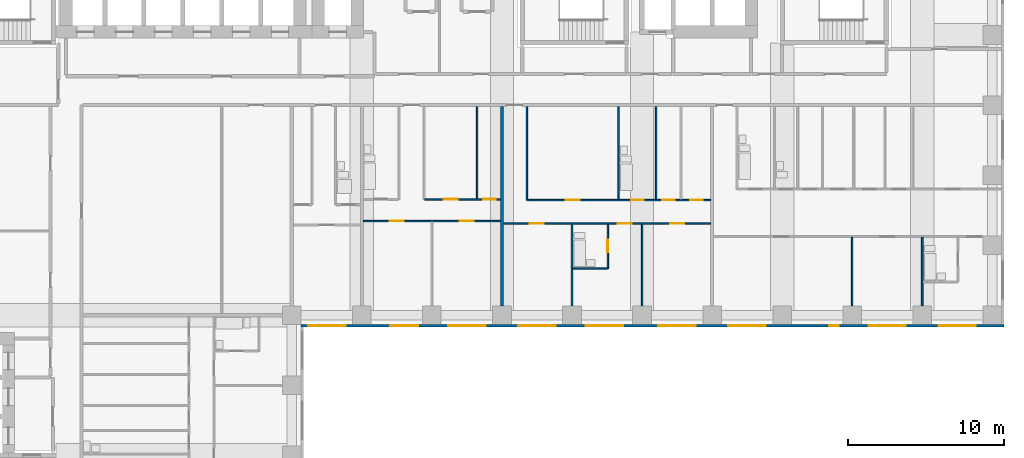
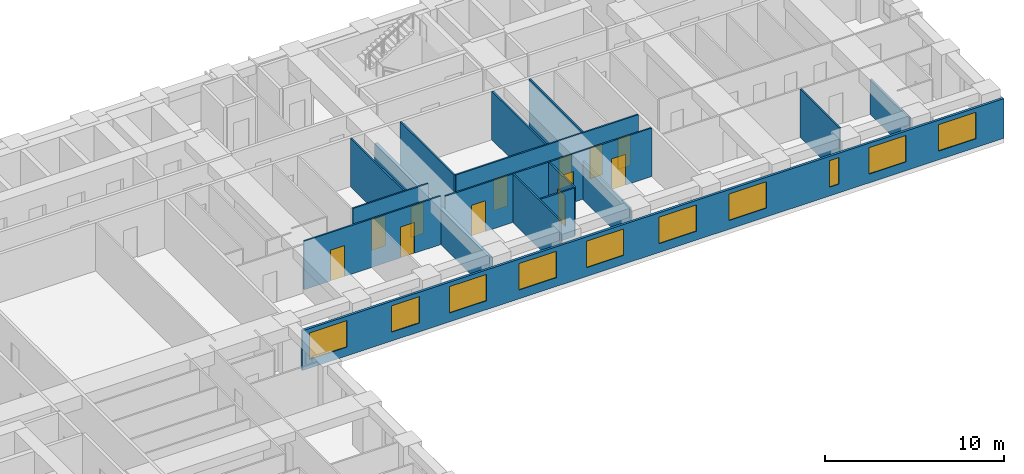
# One storey, part 6 of 12: 16 walls, 12 doors, 10 windows, 22 openings.
"""IFC4 building model written with IfcOpenShell, lengths in metres."""

from ifc_helpers import new_model, si_unit, direction, frame, frame_2d, origin, place, context, subcontext, project, spatial, rectangle, extrude, material, layer, layer_set, type_object, element, fill, save


model = new_model("IFC4")

# Units and contexts
model_context = context("Model", 3, precision=1e-05, world=origin(), true_north=direction((0.0, 1.0)))
body_context = subcontext(model_context, "Body", "Model", "MODEL_VIEW")
ifc_project = project(units=[si_unit("LENGTHUNIT", "METRE"), si_unit("AREAUNIT", "SQUARE_METRE"), si_unit("VOLUMEUNIT", "CUBIC_METRE"), si_unit("PLANEANGLEUNIT", "RADIAN"), si_unit("MASSUNIT", "GRAM", prefix="KILO")], contexts=[model_context])

# Site, building, storey
site_placement = place(None, origin())
site = spatial("IfcSite", under=ifc_project, at=site_placement, CompositionType="ELEMENT")
building_placement = place(site_placement, origin())
building = spatial("IfcBuilding", under=site, at=building_placement, Name="Firuza Court", CompositionType="ELEMENT")
storey_placement = place(building_placement, frame((0.0, 0.0, 101.0)))
storey = spatial("IfcBuildingStorey", under=building, at=storey_placement, Name="L25", CompositionType="ELEMENT", Elevation=101.0)

# Wall
ifc_material_1 = material(Name="Moisture-resistant gypsum board partition")
ifc_layer_1 = layer(ifc_material_1, 0.10009765625)
ifc_layer_set_1 = layer_set([ifc_layer_1], Name="Moisture-resistant gypsum board partition")
wall_type_1 = type_object("IfcWallType", Name="Bathroom partition 100", PredefinedType="PLUMBINGWALL", material=ifc_layer_set_1)
wall_1_placement = place(storey_placement, frame((40.550048828125, 39.0, 0.0), z_axis=(0.0, 0.0, 1.0), x_axis=(1.0, 0.0, 0.0)))
element("IfcWall", 1, at=wall_1_placement, inside=storey, type_object=wall_type_1, Name="Bathroom partition 100 L25", PredefinedType="PLUMBINGWALL", context=body_context, shape_type="SweptSolid", body=[
    extrude(rectangle(XDim=2.199951171875, YDim=0.10009765625, at=frame_2d((1.10009765625, 0.0))), origin(), (0.0, 0.0, 1.0), 3.300048828125),
])

# Wall, opening, door
wall_2_placement = place(storey_placement, frame((42.800048828125, 39.0, 0.0), z_axis=(0.0, 0.0, 1.0), x_axis=(0.0, 1.0, 0.0)))
wall_2 = element("IfcWall", 2, at=wall_2_placement, inside=storey, type_object=wall_type_1, Name="Bathroom partition 100 L25", PredefinedType="PLUMBINGWALL", context=body_context, shape_type="SweptSolid", body=[
    extrude(rectangle(XDim=2.85009765625, YDim=0.10009765625, at=frame_2d((1.425048828125, 0.0))), origin(), (0.0, 0.0, 1.0), 3.300048828125),
])
opening_1_placement = place(wall_2_placement, frame((1.050048828125, 0.0, 0.0)))
opening_1 = element("IfcOpeningElement", 3, at=opening_1_placement, cuts=wall_2, Name="Opening D25043", PredefinedType="OPENING", context=body_context, shape_type="SweptSolid", body=[
    extrude(rectangle(XDim=0.800048828125, YDim=2.10009765625, at=frame_2d((0.39990234375, 1.050048828125))), frame((0.0, 0.06201171875, 0.0), z_axis=(0.0, -1.0, 0.0), x_axis=(1.0, 0.0, 0.0)), (0.0, 0.0, 1.0), 0.1240234375),
])
ifc_material_2 = material(Name="Timber door leaf in hardwood frame", Category="wood")
door_type_1 = type_object("IfcDoorType", Name="Bathroom door 800", OperationType="SINGLE_SWING_LEFT", PredefinedType="DOOR", material=ifc_material_2)
door_1_placement = place(opening_1_placement, origin())
door_1 = element("IfcDoor", 4, at=door_1_placement, inside=storey, type_object=door_type_1, Name="En-suite door", OperationType="SINGLE_SWING_LEFT", OverallHeight=2.10009765625, OverallWidth=0.800048828125, PredefinedType="DOOR", context=body_context, shape_type="SweptSolid", body=[
    extrude(rectangle(XDim=0.800048828125, YDim=2.10009765625, at=frame_2d((0.39990234375, 1.050048828125))), frame((0.0, 0.02490234375, 0.0), z_axis=(0.0, -1.0, 0.0), x_axis=(1.0, 0.0, 0.0)), (0.0, 0.0, 1.0), 0.050048828125),
])
fill(opening_1, door_1)

# Walls
for number, where, z_axis, x_axis, name in (
    (5, (43.5, 43.449951171875, 0.0), (0.0, 0.0, 1.0), (0.0, 1.0, 0.0), "Bathroom partition 100 L25"),
    (6, (45.89990234375, 43.449951171875, 0.0), (0.0, 0.0, 1.0), (0.0, 1.0, 0.0), "Bathroom partition 100 L25"),
):
    element("IfcWall", number, at=place(storey_placement, frame(where, z_axis=z_axis, x_axis=x_axis)), inside=storey, type_object=wall_type_1, Name=name, PredefinedType="PLUMBINGWALL", context=body_context, shape_type="SweptSolid", body=[
        extrude(rectangle(XDim=5.949951171875, YDim=0.10009765625, at=frame_2d((2.97509765625, 0.0))), origin(), (0.0, 0.0, 1.0), 3.300048828125),
    ])
ifc_material_3 = material(Name="Timber stud partition, plasterboard both sides", Category="wood")
ifc_layer_2 = layer(ifc_material_3, 0.10009765625)
ifc_layer_set_2 = layer_set([ifc_layer_2], Name="Timber stud partition, plasterboard both sides")
wall_type_2 = type_object("IfcWallType", Name="Partition wall 100", PredefinedType="PARTITIONING", material=ifc_layer_set_2)
wall_3_placement = place(storey_placement, frame((40.5, 36.60009765625, 0.0), z_axis=(0.0, 0.0, 1.0), x_axis=(0.0, 1.0, 0.0)))
element("IfcWall", 7, at=wall_3_placement, inside=storey, type_object=wall_type_2, Name="Partition wall 100 L25", PredefinedType="PARTITIONING", context=body_context, shape_type="SweptSolid", body=[
    extrude(rectangle(XDim=5.25, YDim=0.10009765625, at=frame_2d((2.625, 0.0))), origin(), (0.0, 0.0, 1.0), 3.300048828125),
])
wall_4_placement = place(storey_placement, frame((45.0, 36.60009765625, 0.0), z_axis=(0.0, 0.0, 1.0), x_axis=(0.0, 1.0, 0.0)))
element("IfcWall", 8, at=wall_4_placement, inside=storey, type_object=wall_type_2, Name="Partition wall 100 L25", PredefinedType="PARTITIONING", context=body_context, shape_type="SweptSolid", body=[
    extrude(rectangle(XDim=5.25, YDim=0.10009765625, at=frame_2d((2.625, 0.0))), origin(), (0.0, 0.0, 1.0), 2.60009765625),
])
wall_5_placement = place(storey_placement, frame((58.5, 36.60009765625, 0.0), z_axis=(0.0, 0.0, 1.0), x_axis=(0.0, 1.0, 0.0)))
element("IfcWall", 9, at=wall_5_placement, inside=storey, type_object=wall_type_2, Name="Partition wall 100 L25", PredefinedType="PARTITIONING", context=body_context, shape_type="SweptSolid", body=[
    extrude(rectangle(XDim=4.39990234375, YDim=0.10009765625, at=frame_2d((2.199951171875, 0.0))), origin(), (0.0, 0.0, 1.0), 3.300048828125),
])
wall_6_placement = place(storey_placement, frame((63.0, 36.60009765625, 0.0), z_axis=(0.0, 0.0, 1.0), x_axis=(0.0, 1.0, 0.0)))
element("IfcWall", 10, at=wall_6_placement, inside=storey, type_object=wall_type_2, Name="Partition wall 100 L25", PredefinedType="PARTITIONING", context=body_context, shape_type="SweptSolid", body=[
    extrude(rectangle(XDim=4.39990234375, YDim=0.10009765625, at=frame_2d((2.199951171875, 0.0))), origin(), (0.0, 0.0, 1.0), 2.39990234375),
])

# Wall, openings, doors
wall_7_placement = place(storey_placement, frame((36.10009765625, 41.89990234375, 0.0), z_axis=(0.0, 0.0, 1.0), x_axis=(1.0, 0.0, 0.0)))
wall_7 = element("IfcWall", 11, at=wall_7_placement, inside=storey, type_object=wall_type_2, Name="Partition wall 100 L25", PredefinedType="PARTITIONING", context=body_context, shape_type="SweptSolid", body=[
    extrude(rectangle(XDim=13.2998046875, YDim=0.10009765625, at=frame_2d((6.64990234375, 0.0))), origin(), (0.0, 0.0, 1.0), 3.300048828125),
])
opening_2_placement = place(wall_7_placement, frame((1.699951171875, 0.0, 0.0)))
opening_2 = element("IfcOpeningElement", 12, at=opening_2_placement, cuts=wall_7, Name="Opening D25048", PredefinedType="OPENING", context=body_context, shape_type="SweptSolid", body=[
    extrude(rectangle(XDim=0.89990234375, YDim=2.10009765625, at=frame_2d((0.449951171875, 1.050048828125))), frame((0.0, 0.06201171875, 0.0), z_axis=(0.0, -1.0, 0.0), x_axis=(1.0, 0.0, 0.0)), (0.0, 0.0, 1.0), 0.1240234375),
])
opening_3_placement = place(wall_7_placement, frame((7.35009765625, 0.0, 0.0)))
opening_3 = element("IfcOpeningElement", 13, at=opening_3_placement, cuts=wall_7, Name="Opening D25049", PredefinedType="OPENING", context=body_context, shape_type="SweptSolid", body=[
    extrude(rectangle(XDim=0.89990234375, YDim=2.10009765625, at=frame_2d((0.449951171875, 1.050048828125))), frame((0.0, 0.06201171875, 0.0), z_axis=(0.0, -1.0, 0.0), x_axis=(1.0, 0.0, 0.0)), (0.0, 0.0, 1.0), 0.1240234375),
])
opening_4_placement = place(wall_7_placement, frame((10.699951171875, 0.0, 0.0)))
opening_4 = element("IfcOpeningElement", 14, at=opening_4_placement, cuts=wall_7, Name="Opening D25050", PredefinedType="OPENING", context=body_context, shape_type="SweptSolid", body=[
    extrude(rectangle(XDim=0.89990234375, YDim=2.10009765625, at=frame_2d((0.449951171875, 1.050048828125))), frame((0.0, 0.06201171875, 0.0), z_axis=(0.0, -1.0, 0.0), x_axis=(1.0, 0.0, 0.0)), (0.0, 0.0, 1.0), 0.1240234375),
])
ifc_material_4 = material(Name="Timber door leaf in hardwood frame", Category="wood")
door_type_2 = type_object("IfcDoorType", Name="Room door 900", OperationType="SINGLE_SWING_LEFT", PredefinedType="DOOR", material=ifc_material_4)
door_2_placement = place(opening_2_placement, frame((0.89990234375, 0.0, 0.0), z_axis=(0.0, 0.0, 1.0), x_axis=(-1.0, 0.0, 0.0)))
door_2 = element("IfcDoor", 15, at=door_2_placement, inside=storey, type_object=door_type_2, Name="Living room door", OperationType="SINGLE_SWING_RIGHT", OverallHeight=2.10009765625, OverallWidth=0.89990234375, PredefinedType="DOOR", context=body_context, shape_type="SweptSolid", body=[
    extrude(rectangle(XDim=0.89990234375, YDim=2.10009765625, at=frame_2d((0.449951171875, 1.050048828125))), frame((0.0, 0.02490234375, 0.0), z_axis=(0.0, -1.0, 0.0), x_axis=(1.0, 0.0, 0.0)), (0.0, 0.0, 1.0), 0.050048828125),
])
fill(opening_2, door_2)
door_3_placement = place(opening_3_placement, frame((0.89990234375, 0.0, 0.0), z_axis=(0.0, 0.0, 1.0), x_axis=(-1.0, 0.0, 0.0)))
door_3 = element("IfcDoor", 16, at=door_3_placement, inside=storey, type_object=door_type_2, Name="Bedroom door", OperationType="SINGLE_SWING_LEFT", OverallHeight=2.10009765625, OverallWidth=0.89990234375, PredefinedType="DOOR", context=body_context, shape_type="SweptSolid", body=[
    extrude(rectangle(XDim=0.89990234375, YDim=2.10009765625, at=frame_2d((0.449951171875, 1.050048828125))), frame((0.0, 0.02490234375, 0.0), z_axis=(0.0, -1.0, 0.0), x_axis=(1.0, 0.0, 0.0)), (0.0, 0.0, 1.0), 0.050048828125),
])
fill(opening_3, door_3)
door_4_placement = place(opening_4_placement, frame((0.89990234375, 0.0, 0.0), z_axis=(0.0, 0.0, 1.0), x_axis=(-1.0, 0.0, 0.0)))
door_4 = element("IfcDoor", 17, at=door_4_placement, inside=storey, type_object=door_type_2, Name="Bedroom door", OperationType="SINGLE_SWING_RIGHT", OverallHeight=2.10009765625, OverallWidth=0.89990234375, PredefinedType="DOOR", context=body_context, shape_type="SweptSolid", body=[
    extrude(rectangle(XDim=0.89990234375, YDim=2.10009765625, at=frame_2d((0.449951171875, 1.050048828125))), frame((0.0, 0.02490234375, 0.0), z_axis=(0.0, -1.0, 0.0), x_axis=(1.0, 0.0, 0.0)), (0.0, 0.0, 1.0), 0.050048828125),
])
fill(opening_4, door_4)

wall_8_placement = place(storey_placement, frame((27.10009765625, 42.050048828125, 0.0), z_axis=(0.0, 0.0, 1.0), x_axis=(1.0, 0.0, 0.0)))
wall_8 = element("IfcWall", 18, at=wall_8_placement, inside=storey, type_object=wall_type_2, Name="Partition wall 100 L25", PredefinedType="PARTITIONING", context=body_context, shape_type="SweptSolid", body=[
    extrude(rectangle(XDim=8.7998046875, YDim=0.10009765625, at=frame_2d((4.39990234375, 0.0))), origin(), (0.0, 0.0, 1.0), 3.300048828125),
])
opening_5_placement = place(wall_8_placement, frame((1.699951171875, 0.0, 0.0)))
opening_5 = element("IfcOpeningElement", 19, at=opening_5_placement, cuts=wall_8, Name="Opening D25051", PredefinedType="OPENING", context=body_context, shape_type="SweptSolid", body=[
    extrude(rectangle(XDim=0.89990234375, YDim=2.10009765625, at=frame_2d((0.449951171875, 1.050048828125))), frame((0.0, 0.06201171875, 0.0), z_axis=(0.0, -1.0, 0.0), x_axis=(1.0, 0.0, 0.0)), (0.0, 0.0, 1.0), 0.1240234375),
])
opening_6_placement = place(wall_8_placement, frame((6.199951171875, 0.0, 0.0)))
opening_6 = element("IfcOpeningElement", 20, at=opening_6_placement, cuts=wall_8, Name="Opening D25052", PredefinedType="OPENING", context=body_context, shape_type="SweptSolid", body=[
    extrude(rectangle(XDim=0.89990234375, YDim=2.10009765625, at=frame_2d((0.449951171875, 1.050048828125))), frame((0.0, 0.06201171875, 0.0), z_axis=(0.0, -1.0, 0.0), x_axis=(1.0, 0.0, 0.0)), (0.0, 0.0, 1.0), 0.1240234375),
])
door_5_placement = place(opening_5_placement, frame((0.89990234375, 0.0, 0.0), z_axis=(0.0, 0.0, 1.0), x_axis=(-1.0, 0.0, 0.0)))
door_5 = element("IfcDoor", 21, at=door_5_placement, inside=storey, type_object=door_type_2, Name="Bedroom door", OperationType="SINGLE_SWING_RIGHT", OverallHeight=2.10009765625, OverallWidth=0.89990234375, PredefinedType="DOOR", context=body_context, shape_type="SweptSolid", body=[
    extrude(rectangle(XDim=0.89990234375, YDim=2.10009765625, at=frame_2d((0.449951171875, 1.050048828125))), frame((0.0, 0.02490234375, 0.0), z_axis=(0.0, -1.0, 0.0), x_axis=(1.0, 0.0, 0.0)), (0.0, 0.0, 1.0), 0.050048828125),
])
fill(opening_5, door_5)
door_6_placement = place(opening_6_placement, frame((0.89990234375, 0.0, 0.0), z_axis=(0.0, 0.0, 1.0), x_axis=(-1.0, 0.0, 0.0)))
door_6 = element("IfcDoor", 22, at=door_6_placement, inside=storey, type_object=door_type_2, Name="Living room door", OperationType="SINGLE_SWING_RIGHT", OverallHeight=2.10009765625, OverallWidth=0.89990234375, PredefinedType="DOOR", context=body_context, shape_type="SweptSolid", body=[
    extrude(rectangle(XDim=0.89990234375, YDim=2.10009765625, at=frame_2d((0.449951171875, 1.050048828125))), frame((0.0, 0.02490234375, 0.0), z_axis=(0.0, -1.0, 0.0), x_axis=(1.0, 0.0, 0.0)), (0.0, 0.0, 1.0), 0.050048828125),
])
fill(opening_6, door_6)

# Wall
wall_9_placement = place(storey_placement, frame((37.60009765625, 43.39990234375, 0.0), z_axis=(0.0, 0.0, 1.0), x_axis=(0.0, 1.0, 0.0)))
element("IfcWall", 23, at=wall_9_placement, inside=storey, type_object=wall_type_2, Name="Partition wall 100 L25", PredefinedType="PARTITIONING", context=body_context, shape_type="SweptSolid", body=[
    extrude(rectangle(XDim=6.0, YDim=0.10009765625, at=frame_2d((3.0, 0.0))), origin(), (0.0, 0.0, 1.0), 3.300048828125),
])

# Wall, openings, doors
wall_10_placement = place(storey_placement, frame((37.64990234375, 43.39990234375, 0.0), z_axis=(0.0, 0.0, 1.0), x_axis=(1.0, 0.0, 0.0)))
wall_10 = element("IfcWall", 24, at=wall_10_placement, inside=storey, type_object=wall_type_2, Name="Partition wall 100 L25", PredefinedType="PARTITIONING", context=body_context, shape_type="SweptSolid", body=[
    extrude(rectangle(XDim=11.75, YDim=0.10009765625, at=frame_2d((5.875, 0.0))), origin(), (0.0, 0.0, 1.0), 3.300048828125),
])
opening_7_placement = place(wall_10_placement, frame((6.64990234375, 0.0, 0.0)))
opening_7 = element("IfcOpeningElement", 25, at=opening_7_placement, cuts=wall_10, Name="Opening D25055", PredefinedType="OPENING", context=body_context, shape_type="SweptSolid", body=[
    extrude(rectangle(XDim=0.800048828125, YDim=2.10009765625, at=frame_2d((0.39990234375, 1.050048828125))), frame((0.0, 0.06201171875, 0.0), z_axis=(0.0, -1.0, 0.0), x_axis=(1.0, 0.0, 0.0)), (0.0, 0.0, 1.0), 0.1240234375),
])
opening_8_placement = place(wall_10_placement, frame((2.449951171875, 0.0, 0.0)))
opening_8 = element("IfcOpeningElement", 26, at=opening_8_placement, cuts=wall_10, Name="Opening D25056", PredefinedType="OPENING", context=body_context, shape_type="SweptSolid", body=[
    extrude(rectangle(XDim=0.89990234375, YDim=2.10009765625, at=frame_2d((0.449951171875, 1.050048828125))), frame((0.0, 0.06201171875, 0.0), z_axis=(0.0, -1.0, 0.0), x_axis=(1.0, 0.0, 0.0)), (0.0, 0.0, 1.0), 0.1240234375),
])
opening_9_placement = place(wall_10_placement, frame((8.64990234375, 0.0, 0.0)))
opening_9 = element("IfcOpeningElement", 27, at=opening_9_placement, cuts=wall_10, Name="Opening D25057", PredefinedType="OPENING", context=body_context, shape_type="SweptSolid", body=[
    extrude(rectangle(XDim=0.800048828125, YDim=2.10009765625, at=frame_2d((0.39990234375, 1.050048828125))), frame((0.0, 0.06201171875, 0.0), z_axis=(0.0, -1.0, 0.0), x_axis=(1.0, 0.0, 0.0)), (0.0, 0.0, 1.0), 0.1240234375),
])
opening_10_placement = place(wall_10_placement, frame((10.449951171875, 0.0, 0.0)))
opening_10 = element("IfcOpeningElement", 28, at=opening_10_placement, cuts=wall_10, Name="Opening D25058", PredefinedType="OPENING", context=body_context, shape_type="SweptSolid", body=[
    extrude(rectangle(XDim=0.800048828125, YDim=2.10009765625, at=frame_2d((0.39990234375, 1.050048828125))), frame((0.0, 0.06201171875, 0.0), z_axis=(0.0, -1.0, 0.0), x_axis=(1.0, 0.0, 0.0)), (0.0, 0.0, 1.0), 0.1240234375),
])
door_7_placement = place(opening_7_placement, origin())
door_7 = element("IfcDoor", 29, at=door_7_placement, inside=storey, type_object=door_type_1, Name="Bathroom door", OperationType="SINGLE_SWING_LEFT", OverallHeight=2.10009765625, OverallWidth=0.800048828125, PredefinedType="DOOR", context=body_context, shape_type="SweptSolid", body=[
    extrude(rectangle(XDim=0.800048828125, YDim=2.10009765625, at=frame_2d((0.39990234375, 1.050048828125))), frame((0.0, 0.02490234375, 0.0), z_axis=(0.0, -1.0, 0.0), x_axis=(1.0, 0.0, 0.0)), (0.0, 0.0, 1.0), 0.050048828125),
])
fill(opening_7, door_7)
ifc_material_5 = material(Name="Timber door leaf in hardwood frame", Category="wood")
door_type_3 = type_object("IfcDoorType", Name="Room door 800", OperationType="SINGLE_SWING_LEFT", PredefinedType="DOOR", material=ifc_material_5)
door_8_placement = place(opening_9_placement, origin())
door_8 = element("IfcDoor", 30, at=door_8_placement, inside=storey, type_object=door_type_3, Name="Store door", OperationType="SINGLE_SWING_LEFT", OverallHeight=2.10009765625, OverallWidth=0.800048828125, PredefinedType="DOOR", context=body_context, shape_type="SweptSolid", body=[
    extrude(rectangle(XDim=0.800048828125, YDim=2.10009765625, at=frame_2d((0.39990234375, 1.050048828125))), frame((0.0, 0.02490234375, 0.0), z_axis=(0.0, -1.0, 0.0), x_axis=(1.0, 0.0, 0.0)), (0.0, 0.0, 1.0), 0.050048828125),
])
fill(opening_9, door_8)
door_9_placement = place(opening_10_placement, origin())
door_9 = element("IfcDoor", 31, at=door_9_placement, inside=storey, type_object=door_type_3, Name="Utility room door", OperationType="SINGLE_SWING_LEFT", OverallHeight=2.10009765625, OverallWidth=0.800048828125, PredefinedType="DOOR", context=body_context, shape_type="SweptSolid", body=[
    extrude(rectangle(XDim=0.800048828125, YDim=2.10009765625, at=frame_2d((0.39990234375, 1.050048828125))), frame((0.0, 0.02490234375, 0.0), z_axis=(0.0, -1.0, 0.0), x_axis=(1.0, 0.0, 0.0)), (0.0, 0.0, 1.0), 0.050048828125),
])
fill(opening_10, door_9)
door_10_placement = place(opening_8_placement, origin())
door_10 = element("IfcDoor", 32, at=door_10_placement, inside=storey, type_object=door_type_2, Name="Kitchen door", OperationType="SINGLE_SWING_LEFT", OverallHeight=2.10009765625, OverallWidth=0.89990234375, PredefinedType="DOOR", context=body_context, shape_type="SweptSolid", body=[
    extrude(rectangle(XDim=0.89990234375, YDim=2.10009765625, at=frame_2d((0.449951171875, 1.050048828125))), frame((0.0, 0.02490234375, 0.0), z_axis=(0.0, -1.0, 0.0), x_axis=(1.0, 0.0, 0.0)), (0.0, 0.0, 1.0), 0.050048828125),
])
fill(opening_8, door_10)

wall_11_placement = place(storey_placement, frame((31.050048828125, 43.449951171875, 0.0), z_axis=(0.0, 0.0, 1.0), x_axis=(1.0, 0.0, 0.0)))
wall_11 = element("IfcWall", 33, at=wall_11_placement, inside=storey, type_object=wall_type_2, Name="Partition wall 100 L25", PredefinedType="PARTITIONING", context=body_context, shape_type="SweptSolid", body=[
    extrude(rectangle(XDim=4.849853515625, YDim=0.10009765625, at=frame_2d((2.4248046875, 0.0))), origin(), (0.0, 0.0, 1.0), 3.300048828125),
])
opening_11_placement = place(wall_11_placement, frame((1.199951171875, 0.0, 0.0)))
opening_11 = element("IfcOpeningElement", 34, at=opening_11_placement, cuts=wall_11, Name="Opening D25060", PredefinedType="OPENING", context=body_context, shape_type="SweptSolid", body=[
    extrude(rectangle(XDim=0.89990234375, YDim=2.10009765625, at=frame_2d((0.449951171875, 1.050048828125))), frame((0.0, 0.06201171875, 0.0), z_axis=(0.0, -1.0, 0.0), x_axis=(1.0, 0.0, 0.0)), (0.0, 0.0, 1.0), 0.1240234375),
])
opening_12_placement = place(wall_11_placement, frame((3.75, 0.0, 0.0)))
opening_12 = element("IfcOpeningElement", 35, at=opening_12_placement, cuts=wall_11, Name="Opening D25061", PredefinedType="OPENING", context=body_context, shape_type="SweptSolid", body=[
    extrude(rectangle(XDim=0.800048828125, YDim=2.10009765625, at=frame_2d((0.39990234375, 1.050048828125))), frame((0.0, 0.06201171875, 0.0), z_axis=(0.0, -1.0, 0.0), x_axis=(1.0, 0.0, 0.0)), (0.0, 0.0, 1.0), 0.1240234375),
])
door_11_placement = place(opening_12_placement, origin())
door_11 = element("IfcDoor", 36, at=door_11_placement, inside=storey, type_object=door_type_3, Name="Store door", OperationType="SINGLE_SWING_LEFT", OverallHeight=2.10009765625, OverallWidth=0.800048828125, PredefinedType="DOOR", context=body_context, shape_type="SweptSolid", body=[
    extrude(rectangle(XDim=0.800048828125, YDim=2.10009765625, at=frame_2d((0.39990234375, 1.050048828125))), frame((0.0, 0.02490234375, 0.0), z_axis=(0.0, -1.0, 0.0), x_axis=(1.0, 0.0, 0.0)), (0.0, 0.0, 1.0), 0.050048828125),
])
fill(opening_12, door_11)
door_12_placement = place(opening_11_placement, origin())
door_12 = element("IfcDoor", 37, at=door_12_placement, inside=storey, type_object=door_type_2, Name="Kitchen door", OperationType="SINGLE_SWING_LEFT", OverallHeight=2.10009765625, OverallWidth=0.89990234375, PredefinedType="DOOR", context=body_context, shape_type="SweptSolid", body=[
    extrude(rectangle(XDim=0.89990234375, YDim=2.10009765625, at=frame_2d((0.449951171875, 1.050048828125))), frame((0.0, 0.02490234375, 0.0), z_axis=(0.0, -1.0, 0.0), x_axis=(1.0, 0.0, 0.0)), (0.0, 0.0, 1.0), 0.050048828125),
])
fill(opening_11, door_12)

# Walls
wall_12_placement = place(storey_placement, frame((34.39990234375, 43.5, 0.0), z_axis=(0.0, 0.0, 1.0), x_axis=(0.0, 1.0, 0.0)))
element("IfcWall", 38, at=wall_12_placement, inside=storey, type_object=wall_type_2, Name="Partition wall 100 L25", PredefinedType="PARTITIONING", context=body_context, shape_type="SweptSolid", body=[
    extrude(rectangle(XDim=5.89990234375, YDim=0.10009765625, at=frame_2d((2.949951171875, 0.0))), origin(), (0.0, 0.0, 1.0), 3.300048828125),
])
ifc_material_6 = material(Name="Blockwork, plastered both sides", Category="masonry")
ifc_layer_3 = layer(ifc_material_6, 0.199951171875)
ifc_layer_set_3 = layer_set([ifc_layer_3], Name="Blockwork, plastered both sides")
wall_type_3 = type_object("IfcWallType", Name="Party wall 200", PredefinedType="PARTITIONING", material=ifc_layer_set_3)
wall_13_placement = place(storey_placement, frame((36.0, 36.60009765625, 0.0), z_axis=(0.0, 0.0, 1.0), x_axis=(0.0, 1.0, 0.0)))
element("IfcWall", 39, at=wall_13_placement, inside=storey, type_object=wall_type_3, Name="Party wall 200 L25", PredefinedType="PARTITIONING", context=body_context, shape_type="SweptSolid", body=[
    extrude(rectangle(XDim=12.7998046875, YDim=0.199951171875, at=frame_2d((6.39990234375, 0.0))), origin(), (0.0, 0.0, 1.0), 2.39990234375),
])

# Wall, openings, windows
ifc_material_7 = material(Name="Ceramic tile", Category="ceramic")
ifc_layer_4 = layer(ifc_material_7, 0.02001953125)
ifc_material_8 = material(Name="Mineral wool insulation", Category="insulation")
ifc_layer_5 = layer(ifc_material_8, 0.050048828125)
ifc_material_9 = material(Name="Concrete C40/50 precast", Category="concrete")
ifc_layer_6 = layer(ifc_material_9, 0.080078125)
ifc_layer_set_4 = layer_set([ifc_layer_4, ifc_layer_5, ifc_layer_6], Name="Concrete C40/50 precast")
wall_type_4 = type_object("IfcWallType", Name="Precast cladding wall with turquoise TILE PANEL face 150", PredefinedType="STANDARD", material=ifc_layer_set_4)
wall_14_placement = place(storey_placement, frame((23.10009765625, 35.324951171875, 0.0), z_axis=(0.0, 0.0, 1.0), x_axis=(1.0, 0.0, 0.0)))
wall_14 = element("IfcWall", 40, at=wall_14_placement, inside=storey, type_object=wall_type_4, Name="Facade wall L25 S", PredefinedType="STANDARD", context=body_context, shape_type="SweptSolid", body=[
    extrude(rectangle(XDim=45.14990234375, YDim=0.14990234375, at=frame_2d((22.574951171875, 0.0))), origin(), (0.0, 0.0, 1.0), 2.699951171875),
])
opening_13_placement = place(wall_14_placement, frame((0.449951171875, 0.0, 0.60009765625)))
opening_13 = element("IfcOpeningElement", 41, at=opening_13_placement, cuts=wall_14, Name="Opening W1", PredefinedType="OPENING", context=body_context, shape_type="SweptSolid", body=[
    extrude(rectangle(XDim=2.39990234375, YDim=1.800048828125, at=frame_2d((1.199951171875, 0.89990234375))), frame((0.0, 0.0869140625, 0.0), z_axis=(0.0, -1.0, 0.0), x_axis=(1.0, 0.0, 0.0)), (0.0, 0.0, 1.0), 0.173828125),
])
opening_14_placement = place(wall_14_placement, frame((5.7275390625, 0.0, 0.60009765625)))
opening_14 = element("IfcOpeningElement", 42, at=opening_14_placement, cuts=wall_14, Name="Opening W7", PredefinedType="OPENING", context=body_context, shape_type="SweptSolid", body=[
    extrude(rectangle(XDim=1.800048828125, YDim=1.800048828125, at=frame_2d((0.89990234375, 0.89990234375))), frame((0.0, 0.0869140625, 0.0), z_axis=(0.0, -1.0, 0.0), x_axis=(1.0, 0.0, 0.0)), (0.0, 0.0, 1.0), 0.173828125),
])
opening_15_placement = place(wall_14_placement, frame((9.449951171875, 0.0, 0.60009765625)))
opening_15 = element("IfcOpeningElement", 43, at=opening_15_placement, cuts=wall_14, Name="Opening W1", PredefinedType="OPENING", context=body_context, shape_type="SweptSolid", body=[
    extrude(rectangle(XDim=2.39990234375, YDim=1.800048828125, at=frame_2d((1.199951171875, 0.89990234375))), frame((0.0, 0.0869140625, 0.0), z_axis=(0.0, -1.0, 0.0), x_axis=(1.0, 0.0, 0.0)), (0.0, 0.0, 1.0), 0.173828125),
])
opening_16_placement = place(wall_14_placement, frame((13.949951171875, 0.0, 0.60009765625)))
opening_16 = element("IfcOpeningElement", 44, at=opening_16_placement, cuts=wall_14, Name="Opening W1", PredefinedType="OPENING", context=body_context, shape_type="SweptSolid", body=[
    extrude(rectangle(XDim=2.39990234375, YDim=1.800048828125, at=frame_2d((1.199951171875, 0.89990234375))), frame((0.0, 0.0869140625, 0.0), z_axis=(0.0, -1.0, 0.0), x_axis=(1.0, 0.0, 0.0)), (0.0, 0.0, 1.0), 0.173828125),
])
opening_17_placement = place(wall_14_placement, frame((18.276123046875, 0.0, 0.60009765625)))
opening_17 = element("IfcOpeningElement", 45, at=opening_17_placement, cuts=wall_14, Name="Opening W1", PredefinedType="OPENING", context=body_context, shape_type="SweptSolid", body=[
    extrude(rectangle(XDim=2.39990234375, YDim=1.800048828125, at=frame_2d((1.199951171875, 0.89990234375))), frame((0.0, 0.0869140625, 0.0), z_axis=(0.0, -1.0, 0.0), x_axis=(1.0, 0.0, 0.0)), (0.0, 0.0, 1.0), 0.173828125),
])
opening_18_placement = place(wall_14_placement, frame((22.949951171875, 0.0, 0.60009765625)))
opening_18 = element("IfcOpeningElement", 46, at=opening_18_placement, cuts=wall_14, Name="Opening W1", PredefinedType="OPENING", context=body_context, shape_type="SweptSolid", body=[
    extrude(rectangle(XDim=2.39990234375, YDim=1.800048828125, at=frame_2d((1.199951171875, 0.89990234375))), frame((0.0, 0.0869140625, 0.0), z_axis=(0.0, -1.0, 0.0), x_axis=(1.0, 0.0, 0.0)), (0.0, 0.0, 1.0), 0.173828125),
])
opening_19_placement = place(wall_14_placement, frame((27.449951171875, 0.0, 0.60009765625)))
opening_19 = element("IfcOpeningElement", 47, at=opening_19_placement, cuts=wall_14, Name="Opening W1", PredefinedType="OPENING", context=body_context, shape_type="SweptSolid", body=[
    extrude(rectangle(XDim=2.39990234375, YDim=1.800048828125, at=frame_2d((1.199951171875, 0.89990234375))), frame((0.0, 0.0869140625, 0.0), z_axis=(0.0, -1.0, 0.0), x_axis=(1.0, 0.0, 0.0)), (0.0, 0.0, 1.0), 0.173828125),
])
opening_20_placement = place(wall_14_placement, frame((33.920654296875, 0.0, 0.60009765625)))
opening_20 = element("IfcOpeningElement", 48, at=opening_20_placement, cuts=wall_14, Name="Opening W4", PredefinedType="OPENING", context=body_context, shape_type="SweptSolid", body=[
    extrude(rectangle(XDim=0.60009765625, YDim=1.800048828125, at=frame_2d((0.300048828125, 0.89990234375))), frame((0.0, 0.0869140625, 0.0), z_axis=(0.0, -1.0, 0.0), x_axis=(1.0, 0.0, 0.0)), (0.0, 0.0, 1.0), 0.173828125),
])
opening_21_placement = place(wall_14_placement, frame((36.449951171875, 0.0, 0.60009765625)))
opening_21 = element("IfcOpeningElement", 49, at=opening_21_placement, cuts=wall_14, Name="Opening W1", PredefinedType="OPENING", context=body_context, shape_type="SweptSolid", body=[
    extrude(rectangle(XDim=2.39990234375, YDim=1.800048828125, at=frame_2d((1.199951171875, 0.89990234375))), frame((0.0, 0.0869140625, 0.0), z_axis=(0.0, -1.0, 0.0), x_axis=(1.0, 0.0, 0.0)), (0.0, 0.0, 1.0), 0.173828125),
])
opening_22_placement = place(wall_14_placement, frame((40.949951171875, 0.0, 0.60009765625)))
opening_22 = element("IfcOpeningElement", 50, at=opening_22_placement, cuts=wall_14, Name="Opening W1", PredefinedType="OPENING", context=body_context, shape_type="SweptSolid", body=[
    extrude(rectangle(XDim=2.39990234375, YDim=1.800048828125, at=frame_2d((1.199951171875, 0.89990234375))), frame((0.0, 0.0869140625, 0.0), z_axis=(0.0, -1.0, 0.0), x_axis=(1.0, 0.0, 0.0)), (0.0, 0.0, 1.0), 0.173828125),
])
ifc_material_10 = material(Name="Aluminium frame, triple clear glazing", Category="aluminium")
window_type_1 = type_object("IfcWindowType", Name="Window W1 2400 x 1800", PartitioningType="SINGLE_PANEL", PredefinedType="WINDOW", material=ifc_material_10)
window_1_placement = place(opening_13_placement, origin())
window_1 = element("IfcWindow", 51, at=window_1_placement, inside=storey, type_object=window_type_1, Name="Window L25", OverallHeight=1.800048828125, OverallWidth=2.39990234375, PartitioningType="SINGLE_PANEL", PredefinedType="WINDOW", context=body_context, shape_type="SweptSolid", body=[
    extrude(rectangle(XDim=2.39990234375, YDim=1.800048828125, at=frame_2d((1.199951171875, 0.89990234375))), frame((0.0, 0.030029296875, 0.0), z_axis=(0.0, -1.0, 0.0), x_axis=(1.0, 0.0, 0.0)), (0.0, 0.0, 1.0), 0.06005859375),
])
fill(opening_13, window_1)
window_2_placement = place(opening_15_placement, origin())
window_2 = element("IfcWindow", 52, at=window_2_placement, inside=storey, type_object=window_type_1, Name="Window L25", OverallHeight=1.800048828125, OverallWidth=2.39990234375, PartitioningType="SINGLE_PANEL", PredefinedType="WINDOW", context=body_context, shape_type="SweptSolid", body=[
    extrude(rectangle(XDim=2.39990234375, YDim=1.800048828125, at=frame_2d((1.199951171875, 0.89990234375))), frame((0.0, 0.030029296875, 0.0), z_axis=(0.0, -1.0, 0.0), x_axis=(1.0, 0.0, 0.0)), (0.0, 0.0, 1.0), 0.06005859375),
])
fill(opening_15, window_2)
window_3_placement = place(opening_16_placement, origin())
window_3 = element("IfcWindow", 53, at=window_3_placement, inside=storey, type_object=window_type_1, Name="Window L25", OverallHeight=1.800048828125, OverallWidth=2.39990234375, PartitioningType="SINGLE_PANEL", PredefinedType="WINDOW", context=body_context, shape_type="SweptSolid", body=[
    extrude(rectangle(XDim=2.39990234375, YDim=1.800048828125, at=frame_2d((1.199951171875, 0.89990234375))), frame((0.0, 0.030029296875, 0.0), z_axis=(0.0, -1.0, 0.0), x_axis=(1.0, 0.0, 0.0)), (0.0, 0.0, 1.0), 0.06005859375),
])
fill(opening_16, window_3)
window_4_placement = place(opening_17_placement, origin())
window_4 = element("IfcWindow", 54, at=window_4_placement, inside=storey, type_object=window_type_1, Name="Window L25", OverallHeight=1.800048828125, OverallWidth=2.39990234375, PartitioningType="SINGLE_PANEL", PredefinedType="WINDOW", context=body_context, shape_type="SweptSolid", body=[
    extrude(rectangle(XDim=2.39990234375, YDim=1.800048828125, at=frame_2d((1.199951171875, 0.89990234375))), frame((0.0, 0.030029296875, 0.0), z_axis=(0.0, -1.0, 0.0), x_axis=(1.0, 0.0, 0.0)), (0.0, 0.0, 1.0), 0.06005859375),
])
fill(opening_17, window_4)
window_5_placement = place(opening_18_placement, origin())
window_5 = element("IfcWindow", 55, at=window_5_placement, inside=storey, type_object=window_type_1, Name="Window L25", OverallHeight=1.800048828125, OverallWidth=2.39990234375, PartitioningType="SINGLE_PANEL", PredefinedType="WINDOW", context=body_context, shape_type="SweptSolid", body=[
    extrude(rectangle(XDim=2.39990234375, YDim=1.800048828125, at=frame_2d((1.199951171875, 0.89990234375))), frame((0.0, 0.030029296875, 0.0), z_axis=(0.0, -1.0, 0.0), x_axis=(1.0, 0.0, 0.0)), (0.0, 0.0, 1.0), 0.06005859375),
])
fill(opening_18, window_5)
window_6_placement = place(opening_19_placement, origin())
window_6 = element("IfcWindow", 56, at=window_6_placement, inside=storey, type_object=window_type_1, Name="Window L25", OverallHeight=1.800048828125, OverallWidth=2.39990234375, PartitioningType="SINGLE_PANEL", PredefinedType="WINDOW", context=body_context, shape_type="SweptSolid", body=[
    extrude(rectangle(XDim=2.39990234375, YDim=1.800048828125, at=frame_2d((1.199951171875, 0.89990234375))), frame((0.0, 0.030029296875, 0.0), z_axis=(0.0, -1.0, 0.0), x_axis=(1.0, 0.0, 0.0)), (0.0, 0.0, 1.0), 0.06005859375),
])
fill(opening_19, window_6)
window_7_placement = place(opening_21_placement, origin())
window_7 = element("IfcWindow", 57, at=window_7_placement, inside=storey, type_object=window_type_1, Name="Window L25", OverallHeight=1.800048828125, OverallWidth=2.39990234375, PartitioningType="SINGLE_PANEL", PredefinedType="WINDOW", context=body_context, shape_type="SweptSolid", body=[
    extrude(rectangle(XDim=2.39990234375, YDim=1.800048828125, at=frame_2d((1.199951171875, 0.89990234375))), frame((0.0, 0.030029296875, 0.0), z_axis=(0.0, -1.0, 0.0), x_axis=(1.0, 0.0, 0.0)), (0.0, 0.0, 1.0), 0.06005859375),
])
fill(opening_21, window_7)
window_8_placement = place(opening_22_placement, origin())
window_8 = element("IfcWindow", 58, at=window_8_placement, inside=storey, type_object=window_type_1, Name="Window L25", OverallHeight=1.800048828125, OverallWidth=2.39990234375, PartitioningType="SINGLE_PANEL", PredefinedType="WINDOW", context=body_context, shape_type="SweptSolid", body=[
    extrude(rectangle(XDim=2.39990234375, YDim=1.800048828125, at=frame_2d((1.199951171875, 0.89990234375))), frame((0.0, 0.030029296875, 0.0), z_axis=(0.0, -1.0, 0.0), x_axis=(1.0, 0.0, 0.0)), (0.0, 0.0, 1.0), 0.06005859375),
])
fill(opening_22, window_8)
ifc_material_11 = material(Name="Aluminium frame, triple clear glazing", Category="aluminium")
window_type_2 = type_object("IfcWindowType", Name="Window W4 600 x 1800", PartitioningType="SINGLE_PANEL", PredefinedType="WINDOW", material=ifc_material_11)
window_9_placement = place(opening_20_placement, origin())
window_9 = element("IfcWindow", 59, at=window_9_placement, inside=storey, type_object=window_type_2, Name="Window L25", OverallHeight=1.800048828125, OverallWidth=0.60009765625, PartitioningType="SINGLE_PANEL", PredefinedType="WINDOW", context=body_context, shape_type="SweptSolid", body=[
    extrude(rectangle(XDim=0.60009765625, YDim=1.800048828125, at=frame_2d((0.300048828125, 0.89990234375))), frame((0.0, 0.030029296875, 0.0), z_axis=(0.0, -1.0, 0.0), x_axis=(1.0, 0.0, 0.0)), (0.0, 0.0, 1.0), 0.06005859375),
])
fill(opening_20, window_9)
ifc_material_12 = material(Name="Aluminium frame, triple clear glazing", Category="aluminium")
window_type_3 = type_object("IfcWindowType", Name="Window W7 1800 x 1800", PartitioningType="SINGLE_PANEL", PredefinedType="WINDOW", material=ifc_material_12)
window_10_placement = place(opening_14_placement, origin())
window_10 = element("IfcWindow", 60, at=window_10_placement, inside=storey, type_object=window_type_3, Name="Window L25", OverallHeight=1.800048828125, OverallWidth=1.800048828125, PartitioningType="SINGLE_PANEL", PredefinedType="WINDOW", context=body_context, shape_type="SweptSolid", body=[
    extrude(rectangle(XDim=1.800048828125, YDim=1.800048828125, at=frame_2d((0.89990234375, 0.89990234375))), frame((0.0, 0.030029296875, 0.0), z_axis=(0.0, -1.0, 0.0), x_axis=(1.0, 0.0, 0.0)), (0.0, 0.0, 1.0), 0.06005859375),
])
fill(opening_14, window_10)

save(model, "model.ifc")
